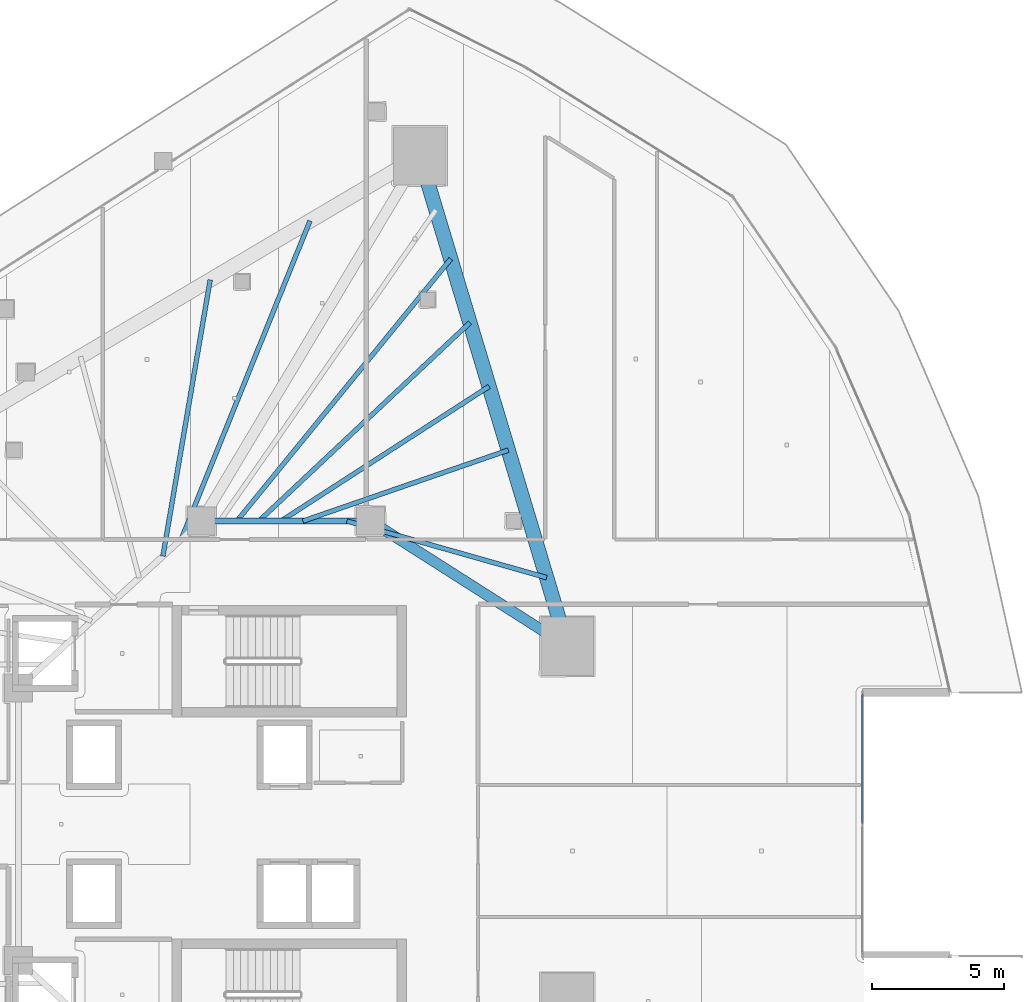
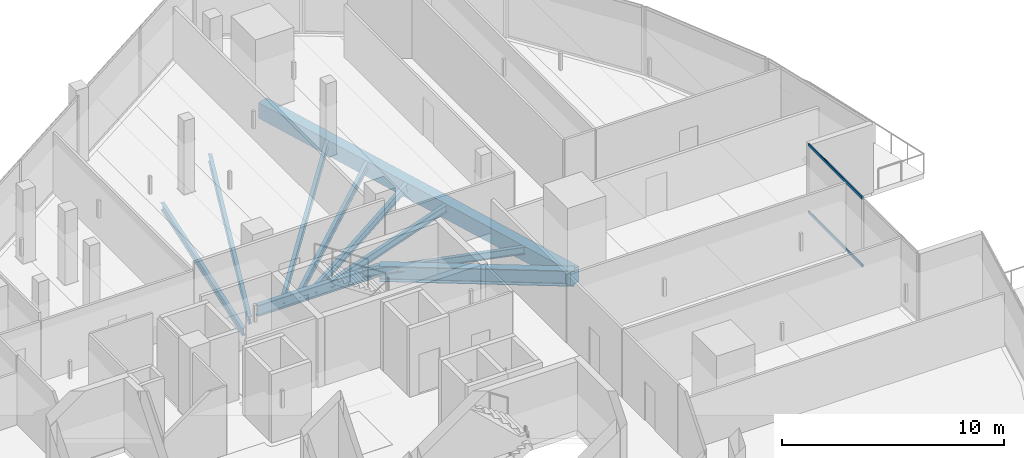
# One storey, part 17 of 35: 10 beams, 2 members, 1 element without a shape of its own.
"""IFC4 building model written with IfcOpenShell, lengths in metres."""

from ifc_helpers import new_model, si_unit, direction, frame, origin, origin_2d, place, context, subcontext, project, spatial, rectangle, hollow_rectangle, i_section, extrude, material, layer, layer_set, material_profile, profile_set, type_object, element, aggregate, save


model = new_model("IFC4")

# Units and contexts
model_context = context("Model", 3, precision=1e-05, world=origin(), true_north=direction((0.0, 1.0)))
body_context = subcontext(model_context, "Body", "Model", "MODEL_VIEW")
ifc_project = project(units=[si_unit("LENGTHUNIT", "METRE"), si_unit("AREAUNIT", "SQUARE_METRE"), si_unit("VOLUMEUNIT", "CUBIC_METRE"), si_unit("PLANEANGLEUNIT", "RADIAN"), si_unit("MASSUNIT", "GRAM", prefix="KILO")], contexts=[model_context])

# Site, building, storey
site_placement = place(None, origin())
site = spatial("IfcSite", under=ifc_project, at=site_placement, CompositionType="ELEMENT")
building_placement = place(site_placement, origin())
building = spatial("IfcBuilding", under=site, at=building_placement, Name="Qorvath Tower", CompositionType="ELEMENT")
storey_placement = place(building_placement, frame((0.0, 0.0, 130.050048828125)))
storey = spatial("IfcBuildingStorey", under=building, at=storey_placement, Name="L29", CompositionType="ELEMENT", Elevation=130.050048828125)

# Beams
ifc_material_1 = material(Name="Steel ASTM A992 Grade 50", Category="steel")
ifc_material_profile_1 = material_profile(ifc_material_1, i_section(OverallWidth=0.39892578125, OverallDepth=0.85498046875, WebThickness=0.018310546875, FlangeThickness=0.029296875, FilletRadius=0.02001953125, at=origin_2d()), Name="W33x201")
ifc_profile_set_1 = profile_set([ifc_material_profile_1], Name="Steel ASTM A992 Grade 50")
beam_type_1 = type_object("IfcBeamType", Name="BM-FG2", PredefinedType="BEAM", material=ifc_profile_set_1)
beam_1_placement = place(storey_placement, frame((-17.199951171875, 11.449951171875, -0.70751953125), z_axis=(0.843634090834, -0.536918542037, 0.0), x_axis=(0.536918542037, 0.843634090834, 0.0)))
element("IfcBeam", 1, at=beam_1_placement, inside=storey, type_object=beam_type_1, Name="Radial Floor Girder CC2-MC5 L29", PredefinedType="BEAM", context=body_context, shape_type="SweptSolid", body=[
    extrude(i_section(OverallWidth=0.39892578125, OverallDepth=0.85498046875, WebThickness=0.018310546875, FlangeThickness=0.029296875, FilletRadius=0.02001953125, at=origin_2d()), origin(), (0.0, 0.0, 1.0), 8.806884765625),
])
ifc_material_2 = material(Name="Steel ASTM A992 Grade 50", Category="steel")
ifc_material_profile_2 = material_profile(ifc_material_2, i_section(OverallWidth=0.22998046875, OverallDepth=0.616943359375, WebThickness=0.01318359375, FlangeThickness=0.022216796875, FilletRadius=0.014892578125, at=origin_2d()), Name="W24x94")
ifc_profile_set_2 = profile_set([ifc_material_profile_2], Name="Steel ASTM A992 Grade 50")
beam_type_2 = type_object("IfcBeamType", Name="BM-FG6", PredefinedType="BEAM", material=ifc_profile_set_2)
beam_2_placement = place(storey_placement, frame((-23.60009765625, 11.449951171875, -0.588623046875), z_axis=(1.0, 0.0, 0.0), x_axis=(0.0, 1.0, 0.0)))
element("IfcBeam", 2, at=beam_2_placement, inside=storey, type_object=beam_type_2, Name="Core Ring Girder CC1-CC2 L29", PredefinedType="BEAM", context=body_context, shape_type="SweptSolid", body=[
    extrude(i_section(OverallWidth=0.22998046875, OverallDepth=0.616943359375, WebThickness=0.01318359375, FlangeThickness=0.022216796875, FilletRadius=0.014892578125, at=origin_2d()), origin(), (0.0, 0.0, 1.0), 6.400146484375),
])
ifc_material_3 = material(Name="Steel ASTM A992 Grade 50", Category="steel")
ifc_material_profile_3 = material_profile(ifc_material_3, i_section(OverallWidth=0.177978515625, OverallDepth=0.406005859375, WebThickness=0.0078125, FlangeThickness=0.0126953125, FilletRadius=0.010986328125, at=origin_2d()), Name="W16x40")
ifc_profile_set_3 = profile_set([ifc_material_profile_3], Name="Steel ASTM A992 Grade 50")
beam_type_3 = type_object("IfcBeamType", Name="BM-FJ3", PredefinedType="JOIST", material=ifc_profile_set_3)
beam_3_placement = place(storey_placement, frame((-18.095947265625, 11.449951171875, -0.483154296875), z_axis=(0.962222206221, -0.272265359264, 0.0), x_axis=(0.272265359264, 0.962222206221, 0.0)))
element("IfcBeam", 3, at=beam_3_placement, inside=storey, type_object=beam_type_3, Name="Composite Floor Joist NE1 L29", PredefinedType="JOIST", context=body_context, shape_type="SweptSolid", body=[
    extrude(i_section(OverallWidth=0.177978515625, OverallDepth=0.406005859375, WebThickness=0.0078125, FlangeThickness=0.0126953125, FilletRadius=0.010986328125, at=origin_2d()), origin(), (0.0, 0.0, 1.0), 7.841552734375),
])
beam_4_placement = place(storey_placement, frame((-19.760009765625, 11.449951171875, -0.483154296875), z_axis=(0.945168345309, 0.326583525342, 0.0), x_axis=(-0.326583525342, 0.945168345309, 0.0)))
element("IfcBeam", 4, at=beam_4_placement, inside=storey, type_object=beam_type_3, Name="Composite Floor Joist NE3 L29", PredefinedType="JOIST", context=body_context, shape_type="SweptSolid", body=[
    extrude(i_section(OverallWidth=0.177978515625, OverallDepth=0.406005859375, WebThickness=0.0078125, FlangeThickness=0.0126953125, FilletRadius=0.010986328125, at=origin_2d()), origin(), (0.0, 0.0, 1.0), 8.21044921875),
])
beam_5_placement = place(storey_placement, frame((-20.592041015625, 11.449951171875, -0.483154296875), z_axis=(0.839630966809, 0.543157288062, 0.0), x_axis=(-0.543157288062, 0.839630966809, 0.0)))
element("IfcBeam", 5, at=beam_5_placement, inside=storey, type_object=beam_type_3, Name="Composite Floor Joist NE4 L29", PredefinedType="JOIST", context=body_context, shape_type="SweptSolid", body=[
    extrude(i_section(OverallWidth=0.177978515625, OverallDepth=0.406005859375, WebThickness=0.0078125, FlangeThickness=0.0126953125, FilletRadius=0.010986328125, at=origin_2d()), origin(), (0.0, 0.0, 1.0), 9.370361328125),
])
beam_6_placement = place(storey_placement, frame((-21.424072265625, 11.449951171875, -0.483154296875), z_axis=(0.728572459091, 0.684968737866, 0.0), x_axis=(-0.684968737866, 0.728572459091, 0.0)))
element("IfcBeam", 6, at=beam_6_placement, inside=storey, type_object=beam_type_3, Name="Composite Floor Joist NE5 L29", PredefinedType="JOIST", context=body_context, shape_type="SweptSolid", body=[
    extrude(i_section(OverallWidth=0.177978515625, OverallDepth=0.406005859375, WebThickness=0.0078125, FlangeThickness=0.0126953125, FilletRadius=0.010986328125, at=origin_2d()), origin(), (0.0, 0.0, 1.0), 10.9462890625),
])
beam_7_placement = place(storey_placement, frame((-22.256103515625, 11.449951171875, -0.483154296875), z_axis=(0.632187975212, 0.774815051478, 0.0), x_axis=(-0.774815051478, 0.632187975212, 0.0)))
element("IfcBeam", 7, at=beam_7_placement, inside=storey, type_object=beam_type_3, Name="Composite Floor Joist NE6 L29", PredefinedType="JOIST", context=body_context, shape_type="SweptSolid", body=[
    extrude(i_section(OverallWidth=0.177978515625, OverallDepth=0.406005859375, WebThickness=0.0078125, FlangeThickness=0.0126953125, FilletRadius=0.010986328125, at=origin_2d()), origin(), (0.0, 0.0, 1.0), 12.784912109375),
])
beam_8_placement = place(storey_placement, frame((-25.049072265625, 10.126953125, -0.483154296875), z_axis=(0.168745594245, 0.985659639238, 0.0), x_axis=(-0.985659639238, 0.168745594245, 0.0)))
element("IfcBeam", 8, at=beam_8_placement, inside=storey, type_object=beam_type_3, Name="Composite Floor Joist NW6 L29", PredefinedType="JOIST", context=body_context, shape_type="SweptSolid", body=[
    extrude(i_section(OverallWidth=0.177978515625, OverallDepth=0.406005859375, WebThickness=0.0078125, FlangeThickness=0.0126953125, FilletRadius=0.010986328125, at=origin_2d()), origin(), (0.0, 0.0, 1.0), 10.589111328125),
])
beam_9_placement = place(storey_placement, frame((-24.35888671875, 10.757080078125, -0.483154296875), z_axis=(0.37487652097, 0.927074751045, 0.0), x_axis=(-0.927074751045, 0.37487652097, 0.0)))
element("IfcBeam", 9, at=beam_9_placement, inside=storey, type_object=beam_type_3, Name="Composite Floor Joist NW7 L29", PredefinedType="JOIST", context=body_context, shape_type="SweptSolid", body=[
    extrude(i_section(OverallWidth=0.177978515625, OverallDepth=0.406005859375, WebThickness=0.0078125, FlangeThickness=0.0126953125, FilletRadius=0.010986328125, at=origin_2d()), origin(), (0.0, 0.0, 1.0), 12.9833984375),
])
ifc_material_4 = material(Name="Concrete C50/60", Category="concrete")
ifc_material_profile_4 = material_profile(ifc_material_4, rectangle(XDim=0.550048828125, YDim=0.85009765625, at=origin_2d()), Name="RCB 850x550")
ifc_profile_set_4 = profile_set([ifc_material_profile_4], Name="Concrete C50/60")
beam_type_4 = type_object("IfcBeamType", Name="BM-RCB2", PredefinedType="SPANDREL", material=ifc_profile_set_4)
beam_10_placement = place(storey_placement, frame((-9.770263671875, 6.721435546875, -0.705078125), z_axis=(-0.288133952099, 0.957590113591, 0.0), x_axis=(-0.957590113591, -0.288133952099, 0.0)))
element("IfcBeam", 10, at=beam_10_placement, inside=storey, type_object=beam_type_4, Name="Perimeter Loggia Frame Beam MC5-MC6 L29", PredefinedType="SPANDREL", context=body_context, shape_type="SweptSolid", body=[
    extrude(rectangle(XDim=0.550048828125, YDim=0.85009765625, at=origin_2d()), origin(), (0.0, 0.0, 1.0), 19.344970703125),
])

# Curtain wall, members
ifc_material_5 = material(Name="Anodised aluminium and triple low-E glass", Category="aluminium")
ifc_layer = layer(ifc_material_5, 0.179931640625)
ifc_layer_set = layer_set([ifc_layer], Name="CW-SYS-2")
curtain_wall_type = type_object("IfcCurtainWallType", Name="CW-SYS-2", PredefinedType="NOTDEFINED", material=ifc_layer_set)
curtain_wall_placement = place(storey_placement, origin())
curtain_wall = element("IfcCurtainWall", 11, at=curtain_wall_placement, inside=storey, type_object=curtain_wall_type, Name="Curtain Wall CW-2 CW-T-L29-9.1", PredefinedType="NOTDEFINED")
ifc_material_6 = material(Name="Anodised aluminium 6063-T6", Category="aluminium")
ifc_material_profile_5 = material_profile(ifc_material_6, hollow_rectangle(XDim=0.06494140625, YDim=0.159912109375, WallThickness=0.00341796875, InnerFilletRadius=0.00341796875, OuterFilletRadius=0.007080078125, at=origin_2d()), Name="CWT 160x65")
ifc_profile_set_5 = profile_set([ifc_material_profile_5], Name="Anodised aluminium 6063-T6")
member_type = type_object("IfcMemberType", Name="CWT-160", PredefinedType="USERDEFINED", material=ifc_profile_set_5)
member_1_placement = place(storey_placement, frame((1.386962890625, 0.032470703125, 0.032470703125), z_axis=(0.0, 1.0, 0.0), x_axis=(-1.0, 0.0, 0.0)))
member_1 = element("IfcMember", 12, at=member_1_placement, type_object=member_type, Name="CW-2 transom 2.1", ObjectType="TRANSOM", PredefinedType="USERDEFINED", context=body_context, shape_type="SweptSolid", body=[
    extrude(hollow_rectangle(XDim=0.06494140625, YDim=0.159912109375, WallThickness=0.00341796875, InnerFilletRadius=0.00341796875, OuterFilletRadius=0.007080078125, at=origin_2d()), origin(), (0.0, 0.0, 1.0), 4.87060546875),
])
member_2_placement = place(storey_placement, frame((1.386962890625, 0.032470703125, 3.74755859375), z_axis=(0.0, 1.0, 0.0), x_axis=(-1.0, 0.0, 0.0)))
member_2 = element("IfcMember", 13, at=member_2_placement, type_object=member_type, Name="CW-2 transom 2.2", ObjectType="TRANSOM", PredefinedType="USERDEFINED", context=body_context, shape_type="SweptSolid", body=[
    extrude(hollow_rectangle(XDim=0.06494140625, YDim=0.159912109375, WallThickness=0.00341796875, InnerFilletRadius=0.00341796875, OuterFilletRadius=0.007080078125, at=origin_2d()), origin(), (0.0, 0.0, 1.0), 4.87060546875),
])
aggregate(curtain_wall, [member_1, member_2])

save(model, "model.ifc")
